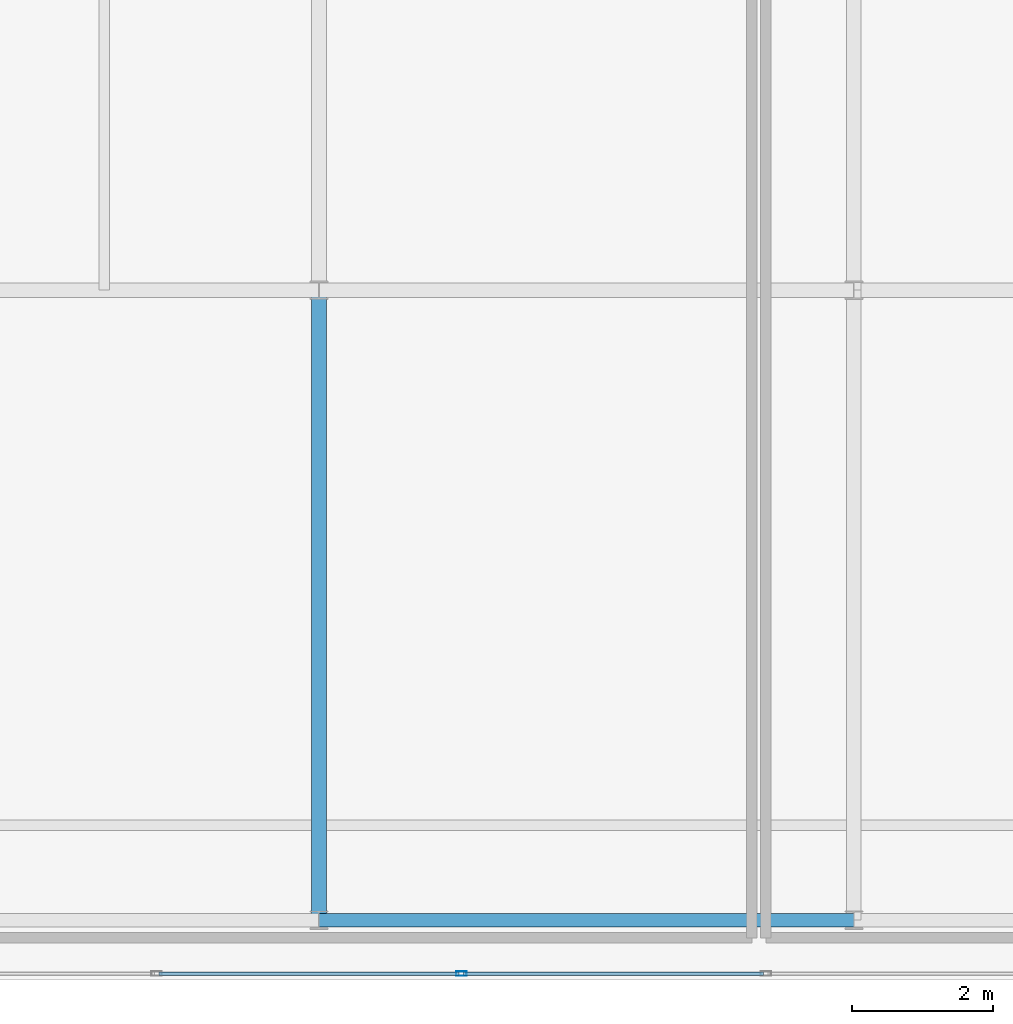
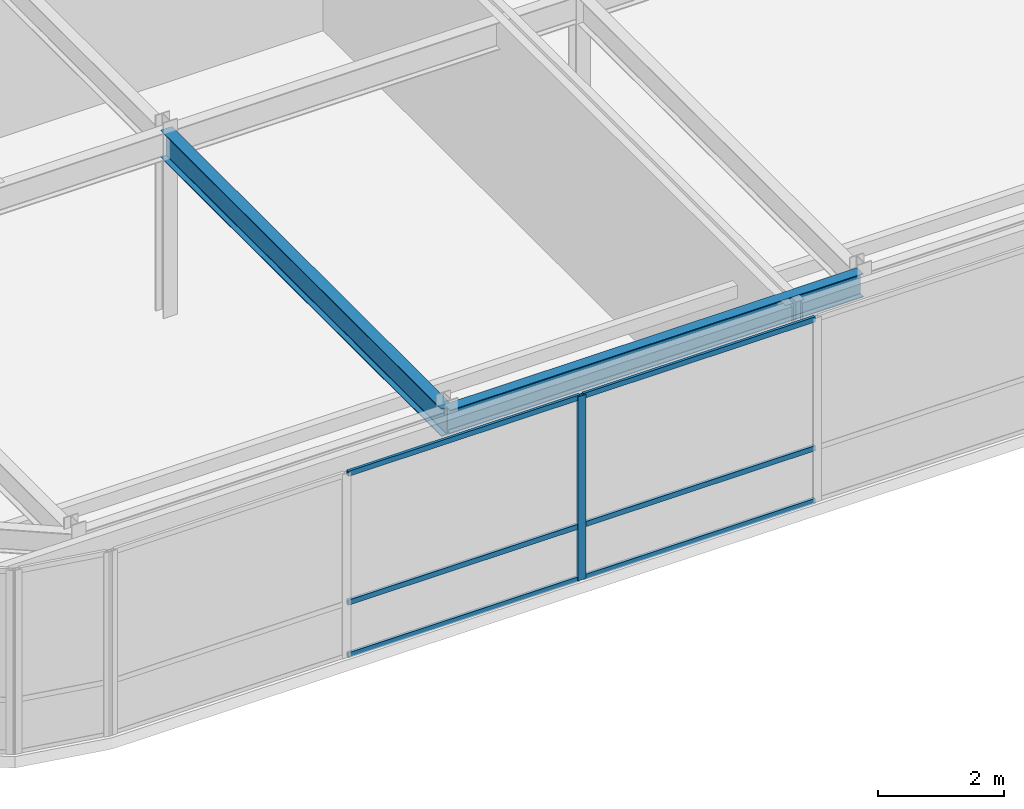
# One storey, part 7 of 36: 7 members, 2 beams, 1 element without a shape of its own.
"""IFC4 building model written with IfcOpenShell, lengths in metres."""

from ifc_helpers import new_model, si_unit, direction, frame, origin, origin_2d, place, context, subcontext, project, spatial, hollow_rectangle, i_section, extrude, source, transform, mapped, material, layer, layer_set, material_profile, profile_set, type_object, type_shapes, element, aggregate, save


model = new_model("IFC4")

# Units and contexts
model_context = context("Model", 3, precision=1e-05, world=origin(), true_north=direction((0.0, 1.0)))
body_context = subcontext(model_context, "Body", "Model", "MODEL_VIEW")
ifc_project = project(units=[si_unit("LENGTHUNIT", "METRE"), si_unit("AREAUNIT", "SQUARE_METRE"), si_unit("VOLUMEUNIT", "CUBIC_METRE"), si_unit("PLANEANGLEUNIT", "RADIAN"), si_unit("MASSUNIT", "GRAM", prefix="KILO")], contexts=[model_context])

# Site, building, storey
site_placement = place(None, origin())
site = spatial("IfcSite", under=ifc_project, at=site_placement, CompositionType="ELEMENT")
building_placement = place(site_placement, origin())
building = spatial("IfcBuilding", under=site, at=building_placement, Name="Tolvann Quenvar Hotel", CompositionType="ELEMENT")
storey_placement = place(building_placement, frame((0.0, 0.0, 294.75)))
storey = spatial("IfcBuildingStorey", under=building, at=storey_placement, Name="L78", CompositionType="ELEMENT", Elevation=294.75)

# Beams
ifc_material_1 = material(Name="Steel Grade 350", Category="steel")
ifc_material_profile_1 = material_profile(ifc_material_1, i_section(OverallWidth=0.19091796875, OverallDepth=0.4599609375, WebThickness=0.010009765625, FlangeThickness=0.01611328125, FilletRadius=0.011474609375, at=origin_2d()), Name="460UB82")
ifc_profile_set_1 = profile_set([ifc_material_profile_1], Name="Steel Grade 350")
beam_type_1 = type_object("IfcBeamType", Name="BM_SPAND_460UB82", PredefinedType="SPANDREL", material=ifc_profile_set_1)
shared_shape_1 = source(origin(), body_context, "Body", "SweptSolid", [
    extrude(i_section(OverallWidth=0.19091796875, OverallDepth=0.4599609375, WebThickness=0.010009765625, FlangeThickness=0.01611328125, FilletRadius=0.011474609375, at=origin_2d()), origin(), (0.0, 0.0, 1.0), 7.60009765625),
])
type_shapes(beam_type_1, [shared_shape_1])
beam_1_placement = place(storey_placement, frame((14.449951171875, 7.050048828125, 3.35009765625), z_axis=(1.0, 0.0, 0.0), x_axis=(0.0, 1.0, 0.0)))
element("IfcBeam", 1, at=beam_1_placement, inside=storey, type_object=beam_type_1, Name="BM-L78-EW-2-D2-E2", PredefinedType="SPANDREL", context=body_context, shape_type="MappedRepresentation", body=[
    mapped(shared_shape_1, transform((0.0, 0.0, 0.0), x_axis=(1.0, 0.0, 0.0), y_axis=(0.0, 1.0, 0.0), z_axis=(0.0, 0.0, 1.0), scale=1.0)),
])
ifc_material_profile_2 = material_profile(ifc_material_1, i_section(OverallWidth=0.208984375, OverallDepth=0.532958984375, WebThickness=0.01025390625, FlangeThickness=0.015625, FilletRadius=0.013916015625, at=origin_2d()), Name="530UB92")
ifc_profile_set_2 = profile_set([ifc_material_profile_2], Name="Steel Grade 350")
beam_type_2 = type_object("IfcBeamType", Name="BM_GIRD_530UB92", PredefinedType="BEAM", material=ifc_profile_set_2)
shared_shape_2 = source(origin(), body_context, "Body", "SweptSolid", [
    extrude(i_section(OverallWidth=0.208984375, OverallDepth=0.532958984375, WebThickness=0.01025390625, FlangeThickness=0.015625, FilletRadius=0.013916015625, at=origin_2d()), origin(), (0.0, 0.0, 1.0), 8.949951171875),
])
type_shapes(beam_type_2, [shared_shape_2])
beam_2_placement = place(storey_placement, frame((14.449951171875, 7.050048828125, 3.3134765625), z_axis=(0.0, 1.0, 0.0), x_axis=(-1.0, 0.0, 0.0)))
element("IfcBeam", 2, at=beam_2_placement, inside=storey, type_object=beam_type_2, Name="BM-L78-NS-D2-D4", PredefinedType="BEAM", context=body_context, shape_type="MappedRepresentation", body=[
    mapped(shared_shape_2, transform((0.0, 0.0, 0.0), x_axis=(1.0, 0.0, 0.0), y_axis=(0.0, 1.0, 0.0), z_axis=(0.0, 0.0, 1.0), scale=1.0)),
])

# Curtain wall, members
ifc_material_2 = material(Name="Thermally broken anodised architectural aluminium 6063-T6 and laminated low-E glass", Category="aluminium")
ifc_layer = layer(ifc_material_2, 0.179931640625)
ifc_layer_set = layer_set([ifc_layer], Name="Thermally broken anodised architectural aluminium 6063-T6 and laminated low-E glass")
curtain_wall_type = type_object("IfcCurtainWallType", Name="CW_SYS_LANT_06", PredefinedType="USERDEFINED", material=ifc_layer_set)
curtain_wall_placement = place(storey_placement, origin())
curtain_wall = element("IfcCurtainWall", 3, at=curtain_wall_placement, inside=storey, type_object=curtain_wall_type, Name="Curtain Wall CW-LANT-06 (CWR-L78-E04)", ObjectType="UNITISED CURTAIN WALL", PredefinedType="USERDEFINED")
ifc_material_3 = material(Name="Anodised architectural aluminium 6063-T6 framing", Category="aluminium")
ifc_material_profile_3 = material_profile(ifc_material_3, hollow_rectangle(XDim=0.06494140625, YDim=0.14990234375, WallThickness=0.00390625, at=origin_2d()), Name="150x65x4RHS")
ifc_profile_set_3 = profile_set([ifc_material_profile_3], Name="Anodised architectural aluminium 6063-T6 framing")
member_type_1 = type_object("IfcMemberType", Name="CW_MULL_150x65", PredefinedType="MULLION", material=ifc_profile_set_3)
shared_shape_3 = source(origin(), body_context, "Body", "SweptSolid", [
    extrude(hollow_rectangle(XDim=0.06494140625, YDim=0.14990234375, WallThickness=0.00390625, at=origin_2d()), origin(), (0.0, 0.0, 1.0), 3.580078125),
])
type_shapes(member_type_1, [shared_shape_3])
member_1_placement = place(storey_placement, frame((16.472412109375, 6.2900390625, 0.0), z_axis=(0.0, 0.0, 1.0), x_axis=(0.0, 1.0, 0.0)))
member_1 = element("IfcMember", 4, at=member_1_placement, type_object=member_type_1, Name="CW-LANT-06 mullion 3", PredefinedType="MULLION", context=body_context, shape_type="MappedRepresentation", body=[
    mapped(shared_shape_3, transform((0.0, 0.0, 0.0), x_axis=(1.0, 0.0, 0.0), y_axis=(0.0, 1.0, 0.0), z_axis=(0.0, 0.0, 1.0), scale=1.0)),
])
ifc_material_profile_4 = material_profile(ifc_material_3, hollow_rectangle(XDim=0.050048828125, YDim=0.10009765625, WallThickness=0.0029296875, at=origin_2d()), Name="100x50x3RHS")
ifc_profile_set_4 = profile_set([ifc_material_profile_4], Name="Anodised architectural aluminium 6063-T6 framing")
member_type_2 = type_object("IfcMemberType", Name="CW_TRAN_100x50", PredefinedType="USERDEFINED", material=ifc_profile_set_4)
shared_shape_4 = source(origin(), body_context, "Body", "SweptSolid", [
    extrude(hollow_rectangle(XDim=0.050048828125, YDim=0.10009765625, WallThickness=0.0029296875, at=origin_2d()), origin(), (0.0, 0.0, 1.0), 4.2626953125),
])
type_shapes(member_type_2, [shared_shape_4])
member_2_placement = place(storey_placement, frame((12.17724609375, 6.2900390625, 0.02490234375), z_axis=(1.0, 0.0, 0.0), x_axis=(0.0, 1.0, 0.0)))
member_2 = element("IfcMember", 5, at=member_2_placement, type_object=member_type_2, Name="CW-LANT-06 transom 2.1", ObjectType="TRANSOM", PredefinedType="USERDEFINED", context=body_context, shape_type="MappedRepresentation", body=[
    mapped(shared_shape_4, transform((0.0, 0.0, 0.0), x_axis=(1.0, 0.0, 0.0), y_axis=(0.0, 1.0, 0.0), z_axis=(0.0, 0.0, 1.0), scale=1.0)),
])
member_3_placement = place(storey_placement, frame((12.17724609375, 6.2900390625, 1.050048828125), z_axis=(1.0, 0.0, 0.0), x_axis=(0.0, 1.0, 0.0)))
member_3 = element("IfcMember", 6, at=member_3_placement, type_object=member_type_2, Name="CW-LANT-06 transom 2.2", ObjectType="TRANSOM", PredefinedType="USERDEFINED", context=body_context, shape_type="MappedRepresentation", body=[
    mapped(shared_shape_4, transform((0.0, 0.0, 0.0), x_axis=(1.0, 0.0, 0.0), y_axis=(0.0, 1.0, 0.0), z_axis=(0.0, 0.0, 1.0), scale=1.0)),
])
member_4_placement = place(storey_placement, frame((12.17724609375, 6.2900390625, 3.554931640625), z_axis=(1.0, 0.0, 0.0), x_axis=(0.0, 1.0, 0.0)))
member_4 = element("IfcMember", 7, at=member_4_placement, type_object=member_type_2, Name="CW-LANT-06 transom 2.3", ObjectType="TRANSOM", PredefinedType="USERDEFINED", context=body_context, shape_type="MappedRepresentation", body=[
    mapped(shared_shape_4, transform((0.0, 0.0, 0.0), x_axis=(1.0, 0.0, 0.0), y_axis=(0.0, 1.0, 0.0), z_axis=(0.0, 0.0, 1.0), scale=1.0)),
])
member_5_placement = place(storey_placement, frame((16.5048828125, 6.2900390625, 0.02490234375), z_axis=(1.0, 0.0, 0.0), x_axis=(0.0, 1.0, 0.0)))
member_5 = element("IfcMember", 8, at=member_5_placement, type_object=member_type_2, Name="CW-LANT-06 transom 3.1", ObjectType="TRANSOM", PredefinedType="USERDEFINED", context=body_context, shape_type="MappedRepresentation", body=[
    mapped(shared_shape_4, transform((0.0, 0.0, 0.0), x_axis=(1.0, 0.0, 0.0), y_axis=(0.0, 1.0, 0.0), z_axis=(0.0, 0.0, 1.0), scale=1.0)),
])
member_6_placement = place(storey_placement, frame((16.5048828125, 6.2900390625, 1.050048828125), z_axis=(1.0, 0.0, 0.0), x_axis=(0.0, 1.0, 0.0)))
member_6 = element("IfcMember", 9, at=member_6_placement, type_object=member_type_2, Name="CW-LANT-06 transom 3.2", ObjectType="TRANSOM", PredefinedType="USERDEFINED", context=body_context, shape_type="MappedRepresentation", body=[
    mapped(shared_shape_4, transform((0.0, 0.0, 0.0), x_axis=(1.0, 0.0, 0.0), y_axis=(0.0, 1.0, 0.0), z_axis=(0.0, 0.0, 1.0), scale=1.0)),
])
member_7_placement = place(storey_placement, frame((16.5048828125, 6.2900390625, 3.554931640625), z_axis=(1.0, 0.0, 0.0), x_axis=(0.0, 1.0, 0.0)))
member_7 = element("IfcMember", 10, at=member_7_placement, type_object=member_type_2, Name="CW-LANT-06 transom 3.3", ObjectType="TRANSOM", PredefinedType="USERDEFINED", context=body_context, shape_type="MappedRepresentation", body=[
    mapped(shared_shape_4, transform((0.0, 0.0, 0.0), x_axis=(1.0, 0.0, 0.0), y_axis=(0.0, 1.0, 0.0), z_axis=(0.0, 0.0, 1.0), scale=1.0)),
])
aggregate(curtain_wall, [member_1, member_2, member_3, member_4, member_5, member_6, member_7])

save(model, "model.ifc")
